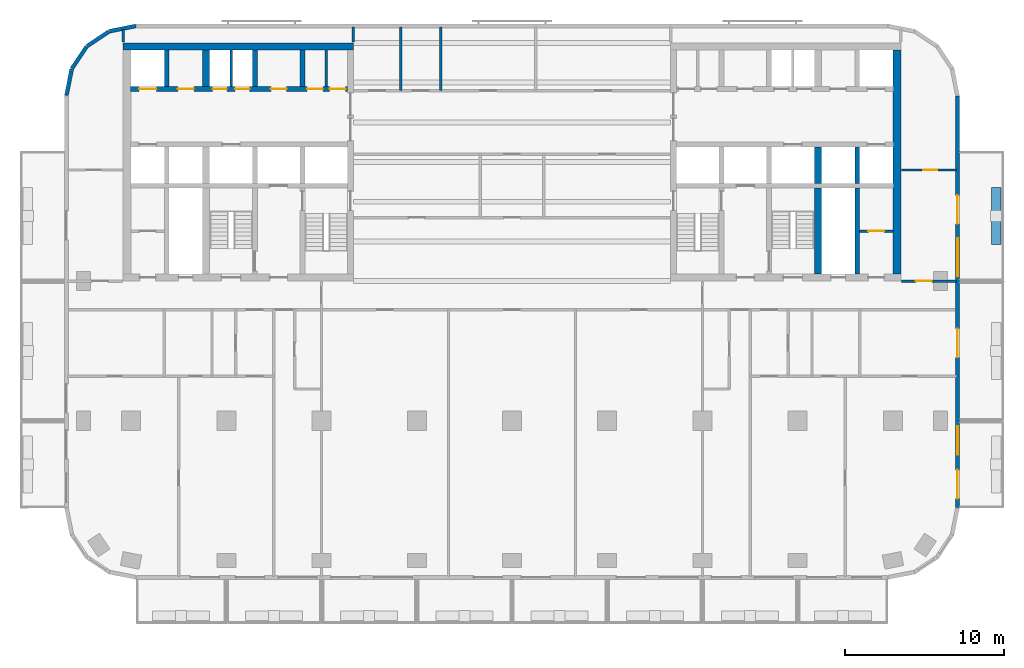
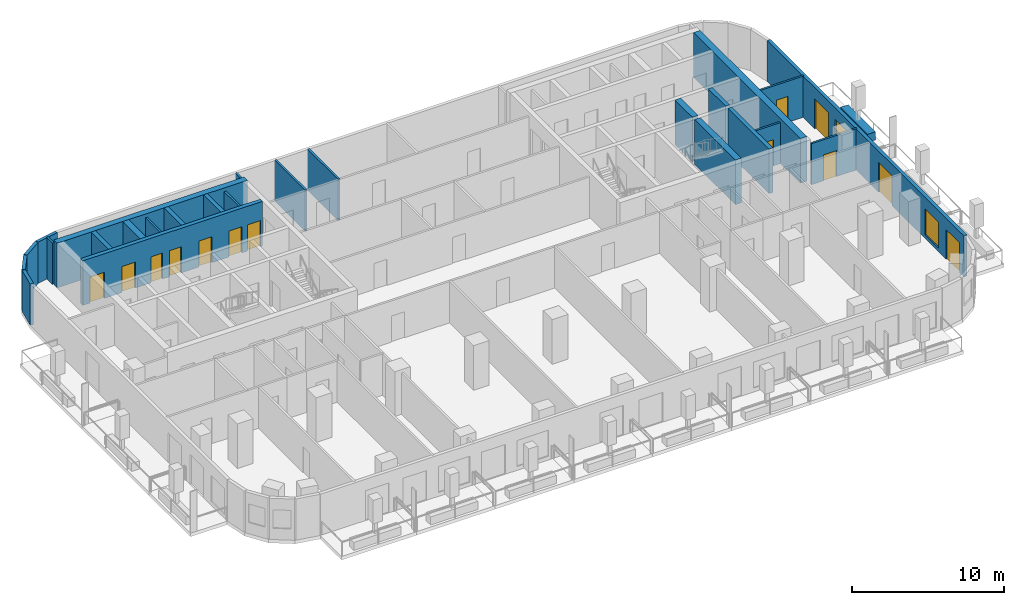
# One storey, part 6 of 11: 26 walls, 13 doors, 2 windows, 15 openings.
"""IFC4 building model written with IfcOpenShell, lengths in metres."""

from ifc_helpers import new_model, si_unit, direction, frame, frame_2d, origin, place, context, subcontext, project, spatial, rectangle, extrude, material, layer, layer_set, type_object, element, fill, save


model = new_model("IFC4")

# Units and contexts
model_context = context("Model", 3, precision=1e-05, world=origin(), true_north=direction((0.0, 1.0)))
body_context = subcontext(model_context, "Body", "Model", "MODEL_VIEW")
ifc_project = project(units=[si_unit("LENGTHUNIT", "METRE"), si_unit("AREAUNIT", "SQUARE_METRE"), si_unit("VOLUMEUNIT", "CUBIC_METRE"), si_unit("PLANEANGLEUNIT", "RADIAN"), si_unit("MASSUNIT", "GRAM", prefix="KILO")], contexts=[model_context])

# Site, building, storey
site_placement = place(None, origin())
site = spatial("IfcSite", under=ifc_project, at=site_placement, CompositionType="ELEMENT")
building_placement = place(site_placement, origin())
building = spatial("IfcBuilding", under=site, at=building_placement, Name="Torana Hotel and Residences", CompositionType="ELEMENT")
storey_placement = place(building_placement, frame((0.0, 0.0, 152.39990234375)))
storey = spatial("IfcBuildingStorey", under=building, at=storey_placement, Name="L39", CompositionType="ELEMENT", Elevation=152.39990234375)

# Wall, openings, doors
ifc_material_1 = material(Name="Concrete C70/85", Category="concrete")
ifc_layer_1 = layer(ifc_material_1, 0.300048828125)
ifc_layer_set_1 = layer_set([ifc_layer_1], Name="CORE WALL 300 C70/85")
wall_type_1 = type_object("IfcWallType", Name="CORE WALL 300 C70/85", PredefinedType="SHEAR", material=ifc_layer_set_1)
wall_1_placement = place(storey_placement, frame((-24.050048828125, -2.89990234375, 0.0), z_axis=(0.0, 0.0, 1.0), x_axis=(1.0, 0.0, 0.0)))
wall_1 = element("IfcWall", 1, at=wall_1_placement, inside=storey, type_object=wall_type_1, Name="Core wall W row-N", PredefinedType="SHEAR", context=body_context, shape_type="SweptSolid", body=[
    extrude(rectangle(XDim=13.699951171875, YDim=0.300048828125, at=frame_2d((6.85009765625, 0.0))), origin(), (0.0, 0.0, 1.0), 3.60009765625),
])
opening_1_placement = place(wall_1_placement, frame((0.550048828125, 0.0, 0.0)))
opening_1 = element("IfcOpeningElement", 2, at=opening_1_placement, cuts=wall_1, Name="Opening LD", PredefinedType="OPENING", context=body_context, shape_type="SweptSolid", body=[
    extrude(rectangle(XDim=1.10009765625, YDim=2.10009765625, at=frame_2d((0.550048828125, 1.050048828125))), frame((0.0, 0.159912109375, 0.0), z_axis=(0.0, -1.0, 0.0), x_axis=(1.0, 0.0, 0.0)), (0.0, 0.0, 1.0), 0.320068359375),
])
opening_2_placement = place(wall_1_placement, frame((6.612548828125, 0.0, 0.0)))
opening_2 = element("IfcOpeningElement", 3, at=opening_2_placement, cuts=wall_1, Name="Opening L39-08", PredefinedType="OPENING", context=body_context, shape_type="SweptSolid", body=[
    extrude(rectangle(XDim=0.89990234375, YDim=2.10009765625, at=frame_2d((0.449951171875, 1.050048828125))), frame((0.0, 0.159912109375, 0.0), z_axis=(0.0, -1.0, 0.0), x_axis=(1.0, 0.0, 0.0)), (0.0, 0.0, 1.0), 0.320068359375),
])
opening_3_placement = place(wall_1_placement, frame((5.1875, 0.0, 0.0)))
opening_3 = element("IfcOpeningElement", 4, at=opening_3_placement, cuts=wall_1, Name="Opening L39-09", PredefinedType="OPENING", context=body_context, shape_type="SweptSolid", body=[
    extrude(rectangle(XDim=0.89990234375, YDim=2.10009765625, at=frame_2d((0.449951171875, 1.050048828125))), frame((0.0, 0.159912109375, 0.0), z_axis=(0.0, -1.0, 0.0), x_axis=(1.0, 0.0, 0.0)), (0.0, 0.0, 1.0), 0.320068359375),
])
opening_4_placement = place(wall_1_placement, frame((12.5625, 0.0, 0.0)))
opening_4 = element("IfcOpeningElement", 5, at=opening_4_placement, cuts=wall_1, Name="Opening L39-10", PredefinedType="OPENING", context=body_context, shape_type="SweptSolid", body=[
    extrude(rectangle(XDim=1.0, YDim=2.10009765625, at=frame_2d((0.5, 1.050048828125))), frame((0.0, 0.159912109375, 0.0), z_axis=(0.0, -1.0, 0.0), x_axis=(1.0, 0.0, 0.0)), (0.0, 0.0, 1.0), 0.320068359375),
])
opening_5_placement = place(wall_1_placement, frame((11.137451171875, 0.0, 0.0)))
opening_5 = element("IfcOpeningElement", 6, at=opening_5_placement, cuts=wall_1, Name="Opening L39-11", PredefinedType="OPENING", context=body_context, shape_type="SweptSolid", body=[
    extrude(rectangle(XDim=1.0, YDim=2.10009765625, at=frame_2d((0.5, 1.050048828125))), frame((0.0, 0.159912109375, 0.0), z_axis=(0.0, -1.0, 0.0), x_axis=(1.0, 0.0, 0.0)), (0.0, 0.0, 1.0), 0.320068359375),
])
opening_6_placement = place(wall_1_placement, frame((8.85009765625, 0.0, 0.0)))
opening_6 = element("IfcOpeningElement", 7, at=opening_6_placement, cuts=wall_1, Name="Opening L39-12", PredefinedType="OPENING", context=body_context, shape_type="SweptSolid", body=[
    extrude(rectangle(XDim=1.0, YDim=2.10009765625, at=frame_2d((0.5, 1.050048828125))), frame((0.0, 0.159912109375, 0.0), z_axis=(0.0, -1.0, 0.0), x_axis=(1.0, 0.0, 0.0)), (0.0, 0.0, 1.0), 0.320068359375),
])
opening_7_placement = place(wall_1_placement, frame((3.0, 0.0, 0.0)))
opening_7 = element("IfcOpeningElement", 8, at=opening_7_placement, cuts=wall_1, Name="Opening L39-13", PredefinedType="OPENING", context=body_context, shape_type="SweptSolid", body=[
    extrude(rectangle(XDim=1.0, YDim=2.10009765625, at=frame_2d((0.5, 1.050048828125))), frame((0.0, 0.159912109375, 0.0), z_axis=(0.0, -1.0, 0.0), x_axis=(1.0, 0.0, 0.0)), (0.0, 0.0, 1.0), 0.320068359375),
])
ifc_material_2 = material(Name="Steel S235", Category="steel")
door_type_1 = type_object("IfcDoorType", Name="CORE ROOM FIRE DOOR D14 1000x2100", OperationType="SINGLE_SWING_LEFT", PredefinedType="DOOR", material=ifc_material_2)
door_1_placement = place(opening_4_placement, origin())
door_1 = element("IfcDoor", 9, at=door_1_placement, inside=storey, type_object=door_type_1, Name="N0A door L39", OperationType="SINGLE_SWING_RIGHT", OverallHeight=2.10009765625, OverallWidth=1.0, PredefinedType="DOOR", context=body_context, shape_type="SweptSolid", body=[
    extrude(rectangle(XDim=1.0, YDim=2.10009765625, at=frame_2d((0.5, 1.050048828125))), frame((0.0, 0.02490234375, 0.0), z_axis=(0.0, -1.0, 0.0), x_axis=(1.0, 0.0, 0.0)), (0.0, 0.0, 1.0), 0.050048828125),
])
fill(opening_4, door_1)
door_2_placement = place(opening_5_placement, origin())
door_2 = element("IfcDoor", 10, at=door_2_placement, inside=storey, type_object=door_type_1, Name="N0B door L39", OperationType="SINGLE_SWING_RIGHT", OverallHeight=2.10009765625, OverallWidth=1.0, PredefinedType="DOOR", context=body_context, shape_type="SweptSolid", body=[
    extrude(rectangle(XDim=1.0, YDim=2.10009765625, at=frame_2d((0.5, 1.050048828125))), frame((0.0, 0.02490234375, 0.0), z_axis=(0.0, -1.0, 0.0), x_axis=(1.0, 0.0, 0.0)), (0.0, 0.0, 1.0), 0.050048828125),
])
fill(opening_5, door_2)
door_3_placement = place(opening_6_placement, origin())
door_3 = element("IfcDoor", 11, at=door_3_placement, inside=storey, type_object=door_type_1, Name="N1 door L39", OperationType="SINGLE_SWING_RIGHT", OverallHeight=2.10009765625, OverallWidth=1.0, PredefinedType="DOOR", context=body_context, shape_type="SweptSolid", body=[
    extrude(rectangle(XDim=1.0, YDim=2.10009765625, at=frame_2d((0.5, 1.050048828125))), frame((0.0, 0.02490234375, 0.0), z_axis=(0.0, -1.0, 0.0), x_axis=(1.0, 0.0, 0.0)), (0.0, 0.0, 1.0), 0.050048828125),
])
fill(opening_6, door_3)
door_4_placement = place(opening_7_placement, origin())
door_4 = element("IfcDoor", 12, at=door_4_placement, inside=storey, type_object=door_type_1, Name="Freed-S1 door L39", OperationType="SINGLE_SWING_RIGHT", OverallHeight=2.10009765625, OverallWidth=1.0, PredefinedType="DOOR", context=body_context, shape_type="SweptSolid", body=[
    extrude(rectangle(XDim=1.0, YDim=2.10009765625, at=frame_2d((0.5, 1.050048828125))), frame((0.0, 0.02490234375, 0.0), z_axis=(0.0, -1.0, 0.0), x_axis=(1.0, 0.0, 0.0)), (0.0, 0.0, 1.0), 0.050048828125),
])
fill(opening_7, door_4)
ifc_material_3 = material(Name="Stainless steel 316", Category="steel")
door_type_2 = type_object("IfcDoorType", Name="LIFT LANDING DOOR LD 1100x2100", OperationType="DOUBLE_DOOR_SLIDING", PredefinedType="USERDEFINED", material=ifc_material_3)
door_5_placement = place(opening_1_placement, origin())
door_5 = element("IfcDoor", 13, at=door_5_placement, inside=storey, type_object=door_type_2, Name="Lift landing door M1 L39", ObjectType="LIFT LANDING DOOR", OperationType="DOUBLE_DOOR_SLIDING", OverallHeight=2.10009765625, OverallWidth=1.10009765625, PredefinedType="USERDEFINED", context=body_context, shape_type="SweptSolid", body=[
    extrude(rectangle(XDim=1.10009765625, YDim=2.10009765625, at=frame_2d((0.550048828125, 1.050048828125))), frame((0.0, 0.02490234375, 0.0), z_axis=(0.0, -1.0, 0.0), x_axis=(1.0, 0.0, 0.0)), (0.0, 0.0, 1.0), 0.050048828125),
])
fill(opening_1, door_5)
ifc_material_4 = material(Name="Steel S235", Category="steel")
door_type_3 = type_object("IfcDoorType", Name="RISER ACCESS DOOR D5 900x2100", OperationType="SINGLE_SWING_LEFT", PredefinedType="DOOR", material=ifc_material_4)
door_6_placement = place(opening_2_placement, origin())
door_6 = element("IfcDoor", 14, at=door_6_placement, inside=storey, type_object=door_type_3, Name="N2A door L39", OperationType="SINGLE_SWING_RIGHT", OverallHeight=2.10009765625, OverallWidth=0.89990234375, PredefinedType="DOOR", context=body_context, shape_type="SweptSolid", body=[
    extrude(rectangle(XDim=0.89990234375, YDim=2.10009765625, at=frame_2d((0.449951171875, 1.050048828125))), frame((0.0, 0.02490234375, 0.0), z_axis=(0.0, -1.0, 0.0), x_axis=(1.0, 0.0, 0.0)), (0.0, 0.0, 1.0), 0.050048828125),
])
fill(opening_2, door_6)
door_7_placement = place(opening_3_placement, origin())
door_7 = element("IfcDoor", 15, at=door_7_placement, inside=storey, type_object=door_type_3, Name="N2B door L39", OperationType="SINGLE_SWING_RIGHT", OverallHeight=2.10009765625, OverallWidth=0.89990234375, PredefinedType="DOOR", context=body_context, shape_type="SweptSolid", body=[
    extrude(rectangle(XDim=0.89990234375, YDim=2.10009765625, at=frame_2d((0.449951171875, 1.050048828125))), frame((0.0, 0.02490234375, 0.0), z_axis=(0.0, -1.0, 0.0), x_axis=(1.0, 0.0, 0.0)), (0.0, 0.0, 1.0), 0.050048828125),
])
fill(opening_3, door_7)

# Walls
for number, where, z_axis, x_axis, name in (
    (16, (-13.199951171875, -2.75, 0.0), (0.0, 0.0, 1.0), (0.0, 1.0, 0.0), "Core wall W x3.05-N"),
    (17, (-16.199951171875, -2.75, 0.0), (0.0, 0.0, 1.0), (0.0, 1.0, 0.0), "Core wall W x6.05-N"),
    (18, (-21.75, -2.75, 0.0), (0.0, 0.0, 1.0), (0.0, 1.0, 0.0), "Core wall W mm-N"),
    (19, (21.75, -8.85009765625, 0.0), (0.0, 0.0, 1.0), (0.0, 1.0, 0.0), "Core wall E mm-S"),
):
    element("IfcWall", number, at=place(storey_placement, frame(where, z_axis=z_axis, x_axis=x_axis)), inside=storey, type_object=wall_type_1, Name=name, PredefinedType="SHEAR", context=body_context, shape_type="SweptSolid", body=[
        extrude(rectangle(XDim=2.300048828125, YDim=0.300048828125, at=frame_2d((1.14990234375, 0.0))), origin(), (0.0, 0.0, 1.0), 3.60009765625),
    ])
wall_2_placement = place(storey_placement, frame((21.75, -14.550048828125, 0.0), z_axis=(0.0, 0.0, 1.0), x_axis=(0.0, 1.0, 0.0)))
element("IfcWall", 20, at=wall_2_placement, inside=storey, type_object=wall_type_1, Name="Core wall E mm-band", PredefinedType="SHEAR", context=body_context, shape_type="SweptSolid", body=[
    extrude(rectangle(XDim=5.400146484375, YDim=0.300048828125, at=frame_2d((2.7001953125, 0.0))), origin(), (0.0, 0.0, 1.0), 3.60009765625),
])
ifc_material_5 = material(Name="Concrete C70/85", Category="concrete")
ifc_layer_2 = layer(ifc_material_5, 0.449951171875)
ifc_layer_set_2 = layer_set([ifc_layer_2], Name="CORE WALL 450 C70/85")
wall_type_2 = type_object("IfcWallType", Name="CORE WALL 450 C70/85", PredefinedType="SHEAR", material=ifc_layer_set_2)
wall_3_placement = place(storey_placement, frame((-24.5, -0.22509765625, 0.0), z_axis=(0.0, 0.0, 1.0), x_axis=(1.0, 0.0, 0.0)))
element("IfcWall", 21, at=wall_3_placement, inside=storey, type_object=wall_type_2, Name="Core wall W rear", PredefinedType="SHEAR", context=body_context, shape_type="SweptSolid", body=[
    extrude(rectangle(XDim=14.5, YDim=0.449951171875, at=frame_2d((7.25, 0.0))), origin(), (0.0, 0.0, 1.0), 3.60009765625),
])
for number, where, z_axis, x_axis, name in (
    (22, (-19.27490234375, -2.75, 0.0), (0.0, 0.0, 1.0), (0.0, 1.0, 0.0), "Core wall W hm-N"),
    (23, (19.27490234375, -8.85009765625, 0.0), (0.0, 0.0, 1.0), (0.0, 1.0, 0.0), "Core wall E hm-S"),
):
    element("IfcWall", number, at=place(storey_placement, frame(where, z_axis=z_axis, x_axis=x_axis)), inside=storey, type_object=wall_type_2, Name=name, PredefinedType="SHEAR", context=body_context, shape_type="SweptSolid", body=[
        extrude(rectangle(XDim=2.300048828125, YDim=0.449951171875, at=frame_2d((1.14990234375, 0.0))), origin(), (0.0, 0.0, 1.0), 3.60009765625),
    ])
wall_4_placement = place(storey_placement, frame((19.27490234375, -14.550048828125, 0.0), z_axis=(0.0, 0.0, 1.0), x_axis=(0.0, 1.0, 0.0)))
element("IfcWall", 24, at=wall_4_placement, inside=storey, type_object=wall_type_2, Name="Core wall E hm-band", PredefinedType="SHEAR", context=body_context, shape_type="SweptSolid", body=[
    extrude(rectangle(XDim=5.400146484375, YDim=0.449951171875, at=frame_2d((2.7001953125, 0.0))), origin(), (0.0, 0.0, 1.0), 3.60009765625),
])
ifc_material_6 = material(Name="Concrete C70/85", Category="concrete")
ifc_layer_3 = layer(ifc_material_6, 0.5)
ifc_layer_set_3 = layer_set([ifc_layer_3], Name="CORE WALL 500 C70/85")
wall_type_3 = type_object("IfcWallType", Name="CORE WALL 500 C70/85", PredefinedType="SHEAR", material=ifc_layer_set_3)
wall_5_placement = place(storey_placement, frame((24.25, -14.550048828125, 0.0), z_axis=(0.0, 0.0, 1.0), x_axis=(0.0, 1.0, 0.0)))
element("IfcWall", 25, at=wall_5_placement, inside=storey, type_object=wall_type_3, Name="Core wall E outer", PredefinedType="SHEAR", context=body_context, shape_type="SweptSolid", body=[
    extrude(rectangle(XDim=14.10009765625, YDim=0.5, at=frame_2d((7.050048828125, 0.0))), origin(), (0.0, 0.0, 1.0), 3.60009765625),
])
ifc_material_7 = material(Name="Black aluminium composite panel", Category="aluminium")
ifc_layer_4 = layer(ifc_material_7, 0.00390625, Name="Cladding", Category="cladding")
ifc_material_8 = material(Name="Ventilated air cavity")
ifc_layer_5 = layer(ifc_material_8, 0.0400390625, Name="Ventilated cavity", Category="cavity")
ifc_material_9 = material(Name="Mineral wool insulation")
ifc_layer_6 = layer(ifc_material_9, 0.090087890625, Name="Insulation", Category="insulation")
ifc_material_10 = material(Name="Steel S280GD", Category="steel")
ifc_layer_7 = layer(ifc_material_10, 0.092041015625, Name="Steel stud frame", Category="structure")
ifc_material_11 = material(Name="Fire rated plasterboard")
ifc_layer_8 = layer(ifc_material_11, 0.011962890625, Name="Inner board", Category="finish")
ifc_layer_9 = layer(ifc_material_11, 0.011962890625, Name="Second board", Category="finish")
ifc_layer_set_4 = layer_set([ifc_layer_4, ifc_layer_5, ifc_layer_6, ifc_layer_7, ifc_layer_8, ifc_layer_9], Name="EW1 EXTERNAL WALL BLACK METAL CLAD 250")
wall_type_4 = type_object("IfcWallType", Name="EW1 EXTERNAL WALL BLACK METAL CLAD 250", PredefinedType="SOLIDWALL", material=ifc_layer_set_4)
wall_6_placement = place(storey_placement, frame((-23.69970703125, 1.072509765625, 0.0), z_axis=(0.0, 0.0, 1.0), x_axis=(-0.980803419081, -0.194999110559, 0.0)))
element("IfcWall", 26, at=wall_6_placement, inside=storey, type_object=wall_type_4, Name="External wall L39 e0.5", PredefinedType="SOLIDWALL", context=body_context, shape_type="SweptSolid", body=[
    extrude(rectangle(XDim=1.681396484375, YDim=0.25, at=frame_2d((0.8408203125, 0.0))), origin(), (0.0, 0.0, 1.0), 3.320068359375),
])
for number, where, z_axis, x_axis, name in (
    (27, (-25.39404296875, 0.725830078125, 0.0), (0.0, 0.0, 1.0), (-0.831482937015, -0.55555029066, 0.0), "External wall L39 e0.6"),
    (28, (-26.8056640625, -0.228759765625, 0.0), (0.0, 0.0, 1.0), (-0.55555029066, -0.831482937015, 0.0), "External wall L39 e0.7"),
):
    element("IfcWall", number, at=place(storey_placement, frame(where, z_axis=z_axis, x_axis=x_axis)), inside=storey, type_object=wall_type_4, Name=name, PredefinedType="SOLIDWALL", context=body_context, shape_type="SweptSolid", body=[
        extrude(rectangle(XDim=1.65625, YDim=0.25, at=frame_2d((0.828125, 0.0))), origin(), (0.0, 0.0, 1.0), 3.320068359375),
    ])
wall_7_placement = place(storey_placement, frame((-27.74462890625, -1.651123046875, 0.0), z_axis=(0.0, 0.0, 1.0), x_axis=(-0.194999110559, -0.980803419081, 0.0)))
element("IfcWall", 29, at=wall_7_placement, inside=storey, type_object=wall_type_4, Name="External wall L39 e0.8", PredefinedType="SOLIDWALL", context=body_context, shape_type="SweptSolid", body=[
    extrude(rectangle(XDim=1.681396484375, YDim=0.25, at=frame_2d((0.8408203125, 0.0))), origin(), (0.0, 0.0, 1.0), 3.320068359375),
])

# Wall, openings, doors, windows
wall_8_placement = place(storey_placement, frame((28.074951171875, -29.275390625, 0.0), z_axis=(0.0, 0.0, 1.0), x_axis=(0.0, 1.0, 0.0)))
wall_8 = element("IfcWall", 30, at=wall_8_placement, inside=storey, type_object=wall_type_4, Name="External wall L39 e0.19", PredefinedType="SOLIDWALL", context=body_context, shape_type="SweptSolid", body=[
    extrude(rectangle(XDim=25.95068359375, YDim=0.25, at=frame_2d((12.975341796875, 0.0))), origin(), (0.0, 0.0, 1.0), 3.320068359375),
])
opening_8_placement = place(wall_8_placement, frame((0.575439453125, 0.0, 0.0)))
opening_8 = element("IfcOpeningElement", 31, at=opening_8_placement, cuts=wall_8, Name="Opening L39-E09", PredefinedType="OPENING", context=body_context, shape_type="SweptSolid", body=[
    extrude(rectangle(XDim=1.800048828125, YDim=2.39990234375, at=frame_2d((0.89990234375, 1.199951171875))), frame((0.0, 0.135009765625, 0.0), z_axis=(0.0, -1.0, 0.0), x_axis=(1.0, 0.0, 0.0)), (0.0, 0.0, 1.0), 0.27001953125),
])
opening_9_placement = place(wall_8_placement, frame((3.325439453125, 0.0, 0.300048828125)))
opening_9 = element("IfcOpeningElement", 32, at=opening_9_placement, cuts=wall_8, Name="Opening W2", PredefinedType="OPENING", context=body_context, shape_type="SweptSolid", body=[
    extrude(rectangle(XDim=1.800048828125, YDim=2.10009765625, at=frame_2d((0.89990234375, 1.050048828125))), frame((0.0, 0.135009765625, 0.0), z_axis=(0.0, -1.0, 0.0), x_axis=(1.0, 0.0, 0.0)), (0.0, 0.0, 1.0), 0.27001953125),
])
opening_10_placement = place(wall_8_placement, frame((9.475341796875, 0.0, 0.0)))
opening_10 = element("IfcOpeningElement", 33, at=opening_10_placement, cuts=wall_8, Name="Opening L39-E10", PredefinedType="OPENING", context=body_context, shape_type="SweptSolid", body=[
    extrude(rectangle(XDim=1.800048828125, YDim=2.39990234375, at=frame_2d((0.89990234375, 1.199951171875))), frame((0.0, 0.135009765625, 0.0), z_axis=(0.0, -1.0, 0.0), x_axis=(1.0, 0.0, 0.0)), (0.0, 0.0, 1.0), 0.27001953125),
])
opening_11_placement = place(wall_8_placement, frame((14.575439453125, 0.0, 0.300048828125)))
opening_11 = element("IfcOpeningElement", 34, at=opening_11_placement, cuts=wall_8, Name="Opening W1", PredefinedType="OPENING", context=body_context, shape_type="SweptSolid", body=[
    extrude(rectangle(XDim=2.39990234375, YDim=2.10009765625, at=frame_2d((1.199951171875, 1.050048828125))), frame((0.0, 0.135009765625, 0.0), z_axis=(0.0, -1.0, 0.0), x_axis=(1.0, 0.0, 0.0)), (0.0, 0.0, 1.0), 0.27001953125),
])
opening_12_placement = place(wall_8_placement, frame((17.87548828125, 0.0, 0.0)))
opening_12 = element("IfcOpeningElement", 35, at=opening_12_placement, cuts=wall_8, Name="Opening L39-E11", PredefinedType="OPENING", context=body_context, shape_type="SweptSolid", body=[
    extrude(rectangle(XDim=1.800048828125, YDim=2.39990234375, at=frame_2d((0.89990234375, 1.199951171875))), frame((0.0, 0.135009765625, 0.0), z_axis=(0.0, -1.0, 0.0), x_axis=(1.0, 0.0, 0.0)), (0.0, 0.0, 1.0), 0.27001953125),
])
ifc_material_12 = material(Name="Dark glass in black aluminium frame", Category="aluminium")
door_type_4 = type_object("IfcDoorType", Name="DB1 BALCONY DOOR 1800x2400", OperationType="DOUBLE_DOOR_SINGLE_SWING", PredefinedType="DOOR", material=ifc_material_12)
door_8_placement = place(opening_8_placement, origin())
door_8 = element("IfcDoor", 36, at=door_8_placement, inside=storey, type_object=door_type_4, Name="Balcony door L39", OperationType="DOUBLE_DOOR_SINGLE_SWING", OverallHeight=2.39990234375, OverallWidth=1.800048828125, PredefinedType="DOOR", context=body_context, shape_type="SweptSolid", body=[
    extrude(rectangle(XDim=1.800048828125, YDim=2.39990234375, at=frame_2d((0.89990234375, 1.199951171875))), frame((0.0, 0.02490234375, 0.0), z_axis=(0.0, -1.0, 0.0), x_axis=(1.0, 0.0, 0.0)), (0.0, 0.0, 1.0), 0.050048828125),
])
fill(opening_8, door_8)
door_9_placement = place(opening_10_placement, origin())
door_9 = element("IfcDoor", 37, at=door_9_placement, inside=storey, type_object=door_type_4, Name="Balcony door L39", OperationType="DOUBLE_DOOR_SINGLE_SWING", OverallHeight=2.39990234375, OverallWidth=1.800048828125, PredefinedType="DOOR", context=body_context, shape_type="SweptSolid", body=[
    extrude(rectangle(XDim=1.800048828125, YDim=2.39990234375, at=frame_2d((0.89990234375, 1.199951171875))), frame((0.0, 0.02490234375, 0.0), z_axis=(0.0, -1.0, 0.0), x_axis=(1.0, 0.0, 0.0)), (0.0, 0.0, 1.0), 0.050048828125),
])
fill(opening_10, door_9)
door_10_placement = place(opening_12_placement, origin())
door_10 = element("IfcDoor", 38, at=door_10_placement, inside=storey, type_object=door_type_4, Name="Balcony door L39", OperationType="DOUBLE_DOOR_SINGLE_SWING", OverallHeight=2.39990234375, OverallWidth=1.800048828125, PredefinedType="DOOR", context=body_context, shape_type="SweptSolid", body=[
    extrude(rectangle(XDim=1.800048828125, YDim=2.39990234375, at=frame_2d((0.89990234375, 1.199951171875))), frame((0.0, 0.02490234375, 0.0), z_axis=(0.0, -1.0, 0.0), x_axis=(1.0, 0.0, 0.0)), (0.0, 0.0, 1.0), 0.050048828125),
])
fill(opening_12, door_10)
ifc_material_13 = material(Name="Dark glass in black aluminium frame", Category="aluminium")
window_type_1 = type_object("IfcWindowType", Name="W1 HOTEL ROOM WINDOW 2400x2100", PartitioningType="SINGLE_PANEL", PredefinedType="WINDOW", material=ifc_material_13)
window_1_placement = place(opening_11_placement, origin())
window_1 = element("IfcWindow", 39, at=window_1_placement, inside=storey, type_object=window_type_1, Name="Window L39", OverallHeight=2.10009765625, OverallWidth=2.39990234375, PartitioningType="SINGLE_PANEL", PredefinedType="WINDOW", context=body_context, shape_type="SweptSolid", body=[
    extrude(rectangle(XDim=2.39990234375, YDim=2.10009765625, at=frame_2d((1.199951171875, 1.050048828125))), frame((0.0, 0.030029296875, 0.0), z_axis=(0.0, -1.0, 0.0), x_axis=(1.0, 0.0, 0.0)), (0.0, 0.0, 1.0), 0.06005859375),
])
fill(opening_11, window_1)
ifc_material_14 = material(Name="Dark glass in black aluminium frame", Category="aluminium")
window_type_2 = type_object("IfcWindowType", Name="W2 HOTEL ROOM WINDOW NARROW 1800x2100", PartitioningType="SINGLE_PANEL", PredefinedType="WINDOW", material=ifc_material_14)
window_2_placement = place(opening_9_placement, origin())
window_2 = element("IfcWindow", 40, at=window_2_placement, inside=storey, type_object=window_type_2, Name="Window L39", OverallHeight=2.10009765625, OverallWidth=1.800048828125, PartitioningType="SINGLE_PANEL", PredefinedType="WINDOW", context=body_context, shape_type="SweptSolid", body=[
    extrude(rectangle(XDim=1.800048828125, YDim=2.10009765625, at=frame_2d((0.89990234375, 1.050048828125))), frame((0.0, 0.030029296875, 0.0), z_axis=(0.0, -1.0, 0.0), x_axis=(1.0, 0.0, 0.0)), (0.0, 0.0, 1.0), 0.06005859375),
])
fill(opening_9, window_2)

# Walls
ifc_material_15 = material(Name="Gypsum plaster")
ifc_layer_10 = layer(ifc_material_15, 0.014892578125, Name="Plaster", Category="finish")
ifc_material_16 = material(Name="Concrete blockwork", Category="masonry")
ifc_layer_11 = layer(ifc_material_16, 0.1201171875, Name="Blockwork", Category="structure")
ifc_layer_12 = layer(ifc_material_15, 0.014892578125, Name="Plaster", Category="finish")
ifc_layer_set_5 = layer_set([ifc_layer_10, ifc_layer_11, ifc_layer_12], Name="FIRE PARTITION 150 BLOCKWORK")
wall_type_5 = type_object("IfcWallType", Name="FIRE PARTITION 150 BLOCKWORK", PredefinedType="PARTITIONING", material=ifc_layer_set_5)
for number, where, z_axis, x_axis, name in (
    (41, (-17.699951171875, -2.75, 0.0), (0.0, 0.0, 1.0), (0.0, 1.0, 0.0), "Core partition L39"),
    (42, (-11.699951171875, -2.75, 0.0), (0.0, 0.0, 1.0), (0.0, 1.0, 0.0), "Core partition L39"),
):
    element("IfcWall", number, at=place(storey_placement, frame(where, z_axis=z_axis, x_axis=x_axis)), inside=storey, type_object=wall_type_5, Name=name, PredefinedType="PARTITIONING", context=body_context, shape_type="SweptSolid", body=[
        extrude(rectangle(XDim=2.300048828125, YDim=0.14990234375, at=frame_2d((1.14990234375, 0.0))), origin(), (0.0, 0.0, 1.0), 3.300048828125),
    ])

# Wall, opening, door
wall_9_placement = place(storey_placement, frame((21.89990234375, -11.85009765625, 0.0), z_axis=(0.0, 0.0, 1.0), x_axis=(1.0, 0.0, 0.0)))
wall_9 = element("IfcWall", 43, at=wall_9_placement, inside=storey, type_object=wall_type_5, Name="Core partition L39", PredefinedType="PARTITIONING", context=body_context, shape_type="SweptSolid", body=[
    extrude(rectangle(XDim=2.10009765625, YDim=0.14990234375, at=frame_2d((1.050048828125, 0.0))), origin(), (0.0, 0.0, 1.0), 3.300048828125),
])
opening_13_placement = place(wall_9_placement, frame((0.550048828125, 0.0, 0.0)))
opening_13 = element("IfcOpeningElement", 44, at=opening_13_placement, cuts=wall_9, Name="Opening L39-32", PredefinedType="OPENING", context=body_context, shape_type="SweptSolid", body=[
    extrude(rectangle(XDim=1.0, YDim=2.10009765625, at=frame_2d((0.5, 1.050048828125))), frame((0.0, 0.0849609375, 0.0), z_axis=(0.0, -1.0, 0.0), x_axis=(1.0, 0.0, 0.0)), (0.0, 0.0, 1.0), 0.169921875),
])
door_11_placement = place(opening_13_placement, origin())
door_11 = element("IfcDoor", 45, at=door_11_placement, inside=storey, type_object=door_type_1, Name="Plant room door L39", OperationType="SINGLE_SWING_RIGHT", OverallHeight=2.10009765625, OverallWidth=1.0, PredefinedType="DOOR", context=body_context, shape_type="SweptSolid", body=[
    extrude(rectangle(XDim=1.0, YDim=2.10009765625, at=frame_2d((0.5, 1.050048828125))), frame((0.0, 0.02490234375, 0.0), z_axis=(0.0, -1.0, 0.0), x_axis=(1.0, 0.0, 0.0)), (0.0, 0.0, 1.0), 0.050048828125),
])
fill(opening_13, door_11)

wall_10_placement = place(storey_placement, frame((24.550048828125, -15.0, 0.0), z_axis=(0.0, 0.0, 1.0), x_axis=(1.0, 0.0, 0.0)))
wall_10 = element("IfcWall", 46, at=wall_10_placement, inside=storey, type_object=wall_type_5, Name="Partition L39", PredefinedType="PARTITIONING", context=body_context, shape_type="SweptSolid", body=[
    extrude(rectangle(XDim=3.469970703125, YDim=0.14990234375, at=frame_2d((1.73486328125, 0.0))), origin(), (0.0, 0.0, 1.0), 3.320068359375),
])
opening_14_placement = place(wall_10_placement, frame((0.89990234375, 0.0, 0.0)))
opening_14 = element("IfcOpeningElement", 47, at=opening_14_placement, cuts=wall_10, Name="Opening L39-40", PredefinedType="OPENING", context=body_context, shape_type="SweptSolid", body=[
    extrude(rectangle(XDim=1.0, YDim=2.10009765625, at=frame_2d((0.5, 1.050048828125))), frame((0.0, 0.0849609375, 0.0), z_axis=(0.0, -1.0, 0.0), x_axis=(1.0, 0.0, 0.0)), (0.0, 0.0, 1.0), 0.169921875),
])
door_12_placement = place(opening_14_placement, origin())
door_12 = element("IfcDoor", 48, at=door_12_placement, inside=storey, type_object=door_type_1, Name="Door L39", OperationType="SINGLE_SWING_LEFT", OverallHeight=2.10009765625, OverallWidth=1.0, PredefinedType="DOOR", context=body_context, shape_type="SweptSolid", body=[
    extrude(rectangle(XDim=1.0, YDim=2.10009765625, at=frame_2d((0.5, 1.050048828125))), frame((0.0, 0.02490234375, 0.0), z_axis=(0.0, -1.0, 0.0), x_axis=(1.0, 0.0, 0.0)), (0.0, 0.0, 1.0), 0.050048828125),
])
fill(opening_14, door_12)

# Wall
ifc_material_17 = material(Name="Gypsum plasterboard")
ifc_layer_13 = layer(ifc_material_17, 0.012451171875, Name="Plasterboard", Category="finish")
ifc_layer_14 = layer(ifc_material_17, 0.012451171875, Name="Plasterboard", Category="finish")
ifc_layer_15 = layer(ifc_material_10, 0.10009765625, Name="Steel studs with mineral wool", Category="insulation")
ifc_layer_16 = layer(ifc_material_17, 0.012451171875, Name="Plasterboard", Category="finish")
ifc_layer_17 = layer(ifc_material_17, 0.012451171875, Name="Plasterboard", Category="finish")
ifc_layer_set_6 = layer_set([ifc_layer_13, ifc_layer_14, ifc_layer_15, ifc_layer_16, ifc_layer_17], Name="PARTITION 150 PLASTERBOARD")
wall_type_6 = type_object("IfcWallType", Name="PARTITION 150 PLASTERBOARD", PredefinedType="PARTITIONING", material=ifc_layer_set_6)
wall_11_placement = place(storey_placement, frame((-24.5, 0.050048828125, 0.0), z_axis=(0.0, 0.0, 1.0), x_axis=(0.0, 1.0, 0.0)))
element("IfcWall", 49, at=wall_11_placement, inside=storey, type_object=wall_type_6, Name="Partition L39", PredefinedType="PARTITIONING", context=body_context, shape_type="SweptSolid", body=[
    extrude(rectangle(XDim=0.807373046875, YDim=0.14990234375, at=frame_2d((0.40380859375, 0.0))), origin(), (0.0, 0.0, 1.0), 3.320068359375),
])

# Wall, opening, door
wall_12_placement = place(storey_placement, frame((24.550048828125, -8.0, 0.0), z_axis=(0.0, 0.0, 1.0), x_axis=(1.0, 0.0, 0.0)))
wall_12 = element("IfcWall", 50, at=wall_12_placement, inside=storey, type_object=wall_type_6, Name="Partition L39", PredefinedType="PARTITIONING", context=body_context, shape_type="SweptSolid", body=[
    extrude(rectangle(XDim=3.469970703125, YDim=0.14990234375, at=frame_2d((1.73486328125, 0.0))), origin(), (0.0, 0.0, 1.0), 3.320068359375),
])
opening_15_placement = place(wall_12_placement, frame((1.35009765625, 0.0, 0.0)))
opening_15 = element("IfcOpeningElement", 51, at=opening_15_placement, cuts=wall_12, Name="Opening L39-65", PredefinedType="OPENING", context=body_context, shape_type="SweptSolid", body=[
    extrude(rectangle(XDim=0.89990234375, YDim=2.10009765625, at=frame_2d((0.449951171875, 1.050048828125))), frame((0.0, 0.0849609375, 0.0), z_axis=(0.0, -1.0, 0.0), x_axis=(1.0, 0.0, 0.0)), (0.0, 0.0, 1.0), 0.169921875),
])
ifc_material_18 = material(Name="Timber door, oiled ash", Category="wood")
door_type_5 = type_object("IfcDoorType", Name="ROOM DOOR D7 900x2100", OperationType="SINGLE_SWING_LEFT", PredefinedType="DOOR", material=ifc_material_18)
door_13_placement = place(opening_15_placement, origin())
door_13 = element("IfcDoor", 52, at=door_13_placement, inside=storey, type_object=door_type_5, Name="Door L39", OperationType="SINGLE_SWING_LEFT", OverallHeight=2.10009765625, OverallWidth=0.89990234375, PredefinedType="DOOR", context=body_context, shape_type="SweptSolid", body=[
    extrude(rectangle(XDim=0.89990234375, YDim=2.10009765625, at=frame_2d((0.449951171875, 1.050048828125))), frame((0.0, 0.02490234375, 0.0), z_axis=(0.0, -1.0, 0.0), x_axis=(1.0, 0.0, 0.0)), (0.0, 0.0, 1.0), 0.050048828125),
])
fill(opening_15, door_13)

# Walls
ifc_material_19 = material(Name="Concrete C40/50 precast", Category="concrete")
ifc_layer_18 = layer(ifc_material_19, 0.10009765625, Name="Planter shell", Category="structure")
ifc_material_20 = material(Name="Root resistant membrane")
ifc_layer_19 = layer(ifc_material_20, 0.00390625, Name="Waterproofing membrane", Category="membrane")
ifc_material_21 = material(Name="Drainage board with filter fleece")
ifc_layer_20 = layer(ifc_material_21, 0.02001953125, Name="Drainage board", Category="drainage")
ifc_material_22 = material(Name="Growing medium")
ifc_layer_21 = layer(ifc_material_22, 0.47607421875, Name="Planting substrate", Category="soil")
ifc_layer_set_7 = layer_set([ifc_layer_18, ifc_layer_19, ifc_layer_20, ifc_layer_21], Name="PL1 BALCONY PLANTER 600")
wall_type_7 = type_object("IfcWallType", Name="PL1 BALCONY PLANTER 600", PredefinedType="USERDEFINED", material=ifc_layer_set_7)
wall_13_placement = place(storey_placement, frame((30.5, -9.10009765625, 0.0), z_axis=(0.0, 0.0, 1.0), x_axis=(0.0, -1.0, 0.0)))
element("IfcWall", 53, at=wall_13_placement, inside=storey, type_object=wall_type_7, Name="Planter 14", ObjectType="PLANTER", PredefinedType="USERDEFINED", context=body_context, shape_type="SweptSolid", body=[
    extrude(rectangle(XDim=3.599853515625, YDim=0.60009765625, at=frame_2d((1.7998046875, 0.0))), origin(), (0.0, 0.0, 1.0), 0.650146484375),
])
ifc_material_23 = material(Name="Ceramic tile on adhesive")
ifc_layer_22 = layer(ifc_material_23, 0.010009765625, Name="Wall tile", Category="finish")
ifc_material_24 = material(Name="Cement render")
ifc_layer_23 = layer(ifc_material_24, 0.010009765625, Name="Render", Category="finish")
ifc_layer_24 = layer(ifc_material_16, 0.110107421875, Name="Blockwork", Category="structure")
ifc_layer_25 = layer(ifc_material_24, 0.010009765625, Name="Render", Category="finish")
ifc_layer_26 = layer(ifc_material_23, 0.010009765625, Name="Wall tile", Category="finish")
ifc_layer_set_8 = layer_set([ifc_layer_22, ifc_layer_23, ifc_layer_24, ifc_layer_25, ifc_layer_26], Name="WC PARTITION 150")
wall_type_8 = type_object("IfcWallType", Name="WC PARTITION 150", PredefinedType="PLUMBINGWALL", material=ifc_layer_set_8)
for number, where, z_axis, x_axis, name in (
    (54, (-4.5, -3.0, 0.0), (0.0, 0.0, 1.0), (0.0, 1.0, 0.0), "Partition L39"),
    (55, (-7.0, -3.0, 0.0), (0.0, 0.0, 1.0), (0.0, 1.0, 0.0), "Partition L39"),
):
    element("IfcWall", number, at=place(storey_placement, frame(where, z_axis=z_axis, x_axis=x_axis)), inside=storey, type_object=wall_type_8, Name=name, PredefinedType="PLUMBINGWALL", context=body_context, shape_type="SweptSolid", body=[
        extrude(rectangle(XDim=4.02001953125, YDim=0.14990234375, at=frame_2d((2.010009765625, 0.0))), origin(), (0.0, 0.0, 1.0), 3.320068359375),
    ])
wall_14_placement = place(storey_placement, frame((-10.0, 0.050048828125, 0.0), z_axis=(0.0, 0.0, 1.0), x_axis=(0.0, 1.0, 0.0)))
element("IfcWall", 56, at=wall_14_placement, inside=storey, type_object=wall_type_8, Name="Partition L39", PredefinedType="PLUMBINGWALL", context=body_context, shape_type="SweptSolid", body=[
    extrude(rectangle(XDim=0.969970703125, YDim=0.14990234375, at=frame_2d((0.48486328125, 0.0))), origin(), (0.0, 0.0, 1.0), 3.320068359375),
])

save(model, "model.ifc")
